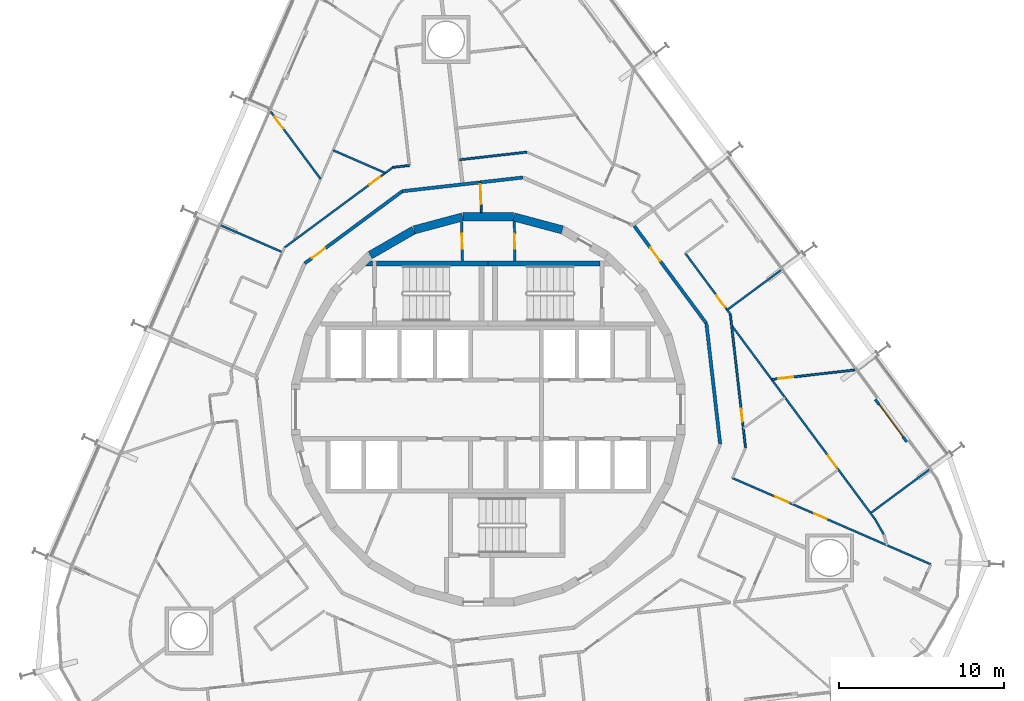
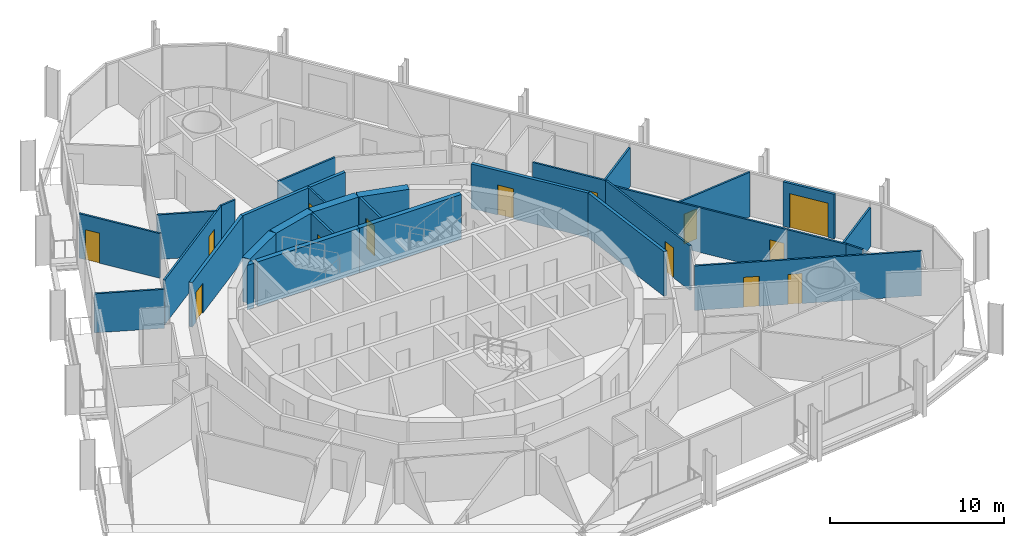
# One storey, part 18 of 22: 30 walls, 14 doors, 14 openings.
"""IFC4 building model written with IfcOpenShell, lengths in metres."""

from ifc_helpers import new_model, si_unit, direction, frame, frame_2d, origin, place, context, subcontext, project, spatial, polyline, rectangle, outline, extrude, material, layer, layer_set, type_object, element, fill, save


model = new_model("IFC4")

# Units and contexts
model_context = context("Model", 3, precision=1e-05, world=origin(), true_north=direction((0.0, 1.0)))
body_context = subcontext(model_context, "Body", "Model", "MODEL_VIEW")
ifc_project = project(units=[si_unit("LENGTHUNIT", "METRE"), si_unit("AREAUNIT", "SQUARE_METRE"), si_unit("VOLUMEUNIT", "CUBIC_METRE"), si_unit("PLANEANGLEUNIT", "RADIAN"), si_unit("MASSUNIT", "GRAM", prefix="KILO")], contexts=[model_context])

# Site, building, storey
site_placement = place(None, origin())
site = spatial("IfcSite", under=ifc_project, at=site_placement, CompositionType="ELEMENT")
building_placement = place(site_placement, origin())
building = spatial("IfcBuilding", under=site, at=building_placement, Name="Spindle Arch Residences", CompositionType="ELEMENT")
storey_placement = place(building_placement, frame((0.0, 0.0, 80.199951171875)))
storey = spatial("IfcBuildingStorey", under=building, at=storey_placement, Name="L18", CompositionType="ELEMENT", Elevation=80.199951171875)

# Walls
ifc_material_1 = material(Name="Concrete C50/60", Category="concrete")
ifc_layer_1 = layer(ifc_material_1, 0.5)
ifc_layer_set_1 = layer_set([ifc_layer_1], Name="Core outline wall 500")
wall_type_1 = type_object("IfcWallType", Name="Core outline wall 500", PredefinedType="SHEAR", material=ifc_layer_set_1)
for number, where, z_axis, x_axis, name in (
    (1, (4.479248046875, 10.858154296875, 0.0), (0.0, 0.0, 1.0), (-0.965948410781, 0.258734743916, 0.0), "Core outline wall 11"),
    (2, (1.516357421875, 11.647216796875, 0.0), (0.0, 0.0, 1.0), (-1.0, 0.0, 0.0), "Core outline wall 12"),
    (3, (-1.5498046875, 11.642822265625, 0.0), (0.0, 0.0, 1.0), (-0.965948410781, -0.258734743916, 0.0), "Core outline wall 13"),
    (4, (-4.510498046875, 10.84521484375, 0.0), (0.0, 0.0, 1.0), (-0.865975092491, -0.500087131594, 0.0), "Core outline wall 14"),
):
    element("IfcWall", number, at=place(storey_placement, frame(where, z_axis=z_axis, x_axis=x_axis)), inside=storey, type_object=wall_type_1, Name=name, PredefinedType="SHEAR", context=body_context, shape_type="SweptSolid", body=[
        extrude(rectangle(XDim=3.03271484375, YDim=0.5, at=frame_2d((1.516357421875, 0.0))), origin(), (0.0, 0.0, 1.0), 3.1201171875),
    ])

# Wall, opening, door
ifc_material_2 = material(Name="Plasterboard on steel studs", Category="steel")
ifc_layer_2 = layer(ifc_material_2, 0.1201171875)
ifc_layer_set_2 = layer_set([ifc_layer_2], Name="Corridor division wall 120")
wall_type_2 = type_object("IfcWallType", Name="Corridor division wall 120", PredefinedType="PARTITIONING", material=ifc_layer_set_2)
wall_1_placement = place(storey_placement, frame((-0.4794921875, 13.73388671875, 0.0), z_axis=(0.0, 0.0, 1.0), x_axis=(0.034805430832, -0.999394107439, 0.0)))
wall_1 = element("IfcWall", 5, at=wall_1_placement, inside=storey, type_object=wall_type_2, Name="Corridor division wall R2A1-W001", PredefinedType="PARTITIONING", context=body_context, shape_type="SweptSolid", body=[
    extrude(rectangle(XDim=1.837890625, YDim=0.1201171875, at=frame_2d((0.9189453125, 0.0))), origin(), (0.0, 0.0, 1.0), 3.1201171875),
])
opening_1_placement = place(wall_1_placement, frame((0.114990234375, 0.0, 0.0)))
opening_1 = element("IfcOpeningElement", 6, at=opening_1_placement, cuts=wall_1, Name="Opening R2A1-CD01", PredefinedType="OPENING", context=body_context, shape_type="SweptSolid", body=[
    extrude(rectangle(XDim=1.199951171875, YDim=2.10009765625, at=frame_2d((0.60009765625, 1.050048828125))), frame((0.0, 0.070068359375, 0.0), z_axis=(0.0, -1.0, 0.0), x_axis=(1.0, 0.0, 0.0)), (0.0, 0.0, 1.0), 0.14013671875),
])
ifc_material_3 = material(Name="Steel, fire-resisting door", Category="steel")
door_type_1 = type_object("IfcDoorType", Name="Corridor division door 1200x2100", OperationType="NOTDEFINED", PredefinedType="DOOR", material=ifc_material_3)
door_1_placement = place(opening_1_placement, origin())
door_1 = element("IfcDoor", 7, at=door_1_placement, inside=storey, type_object=door_type_1, Name="Corridor division door R2A1-CD01", OperationType="DOUBLE_DOOR_SINGLE_SWING", OverallHeight=2.10009765625, OverallWidth=1.199951171875, PredefinedType="DOOR", context=body_context, shape_type="SweptSolid", body=[
    extrude(rectangle(XDim=1.199951171875, YDim=2.10009765625, at=frame_2d((0.60009765625, 1.050048828125))), frame((0.0, 0.02490234375, 0.0), z_axis=(0.0, -1.0, 0.0), x_axis=(1.0, 0.0, 0.0)), (0.0, 0.0, 1.0), 0.050048828125),
])
fill(opening_1, door_1)

# Wall
ifc_material_4 = material(Name="Calcium silicate block, plastered")
ifc_layer_3 = layer(ifc_material_4, 0.199951171875)
ifc_layer_set_3 = layer_set([ifc_layer_3], Name="Corridor wall 200")
wall_type_3 = type_object("IfcWallType", Name="Corridor wall 200", PredefinedType="STANDARD", material=ifc_layer_set_3)
wall_2_placement = place(storey_placement, frame((14.027587890625, -2.096435546875, 0.0), z_axis=(0.0, 0.0, 1.0), x_axis=(-0.113226782163, 0.993569170114, 0.0)))
element("IfcWall", 8, at=wall_2_placement, inside=storey, type_object=wall_type_3, Name="Corridor wall R2A1-W005", PredefinedType="STANDARD", context=body_context, shape_type="SweptSolid", body=[
    extrude(rectangle(XDim=7.341796875, YDim=0.199951171875, at=frame_2d((3.6708984375, 0.0))), origin(), (0.0, 0.0, 1.0), 3.1201171875),
])

# Wall, opening, door
wall_3_placement = place(storey_placement, frame((13.1962890625, 5.1982421875, 0.0), z_axis=(0.0, 0.0, 1.0), x_axis=(-0.594805187394, 0.803869883159, 0.0)))
wall_3 = element("IfcWall", 9, at=wall_3_placement, inside=storey, type_object=wall_type_3, Name="Corridor wall R2A1-W006", PredefinedType="STANDARD", context=body_context, shape_type="SweptSolid", body=[
    extrude(rectangle(XDim=7.341796875, YDim=0.199951171875, at=frame_2d((3.6708984375, 0.0))), origin(), (0.0, 0.0, 1.0), 3.1201171875),
])
opening_2_placement = place(wall_3_placement, frame((4.699951171875, 0.0, 0.0)))
opening_2 = element("IfcOpeningElement", 10, at=opening_2_placement, cuts=wall_3, Name="Opening R2A1-FD01", PredefinedType="OPENING", context=body_context, shape_type="SweptSolid", body=[
    extrude(rectangle(XDim=1.0, YDim=2.10009765625, at=frame_2d((0.5, 1.050048828125))), frame((0.0, 0.10986328125, 0.0), z_axis=(0.0, -1.0, 0.0), x_axis=(1.0, 0.0, 0.0)), (0.0, 0.0, 1.0), 0.219970703125),
])
ifc_material_5 = material(Name="Timber, fire-resisting door set", Category="wood")
door_type_2 = type_object("IfcDoorType", Name="Flat entrance door 1000x2100", OperationType="NOTDEFINED", PredefinedType="DOOR", material=ifc_material_5)
door_2_placement = place(opening_2_placement, origin())
door_2 = element("IfcDoor", 11, at=door_2_placement, inside=storey, type_object=door_type_2, Name="Flat entrance door R2A1-FD01", OperationType="SINGLE_SWING_RIGHT", OverallHeight=2.10009765625, OverallWidth=1.0, PredefinedType="DOOR", context=body_context, shape_type="SweptSolid", body=[
    extrude(rectangle(XDim=1.0, YDim=2.10009765625, at=frame_2d((0.5, 1.050048828125))), frame((0.0, 0.02490234375, 0.0), z_axis=(0.0, -1.0, 0.0), x_axis=(1.0, 0.0, 0.0)), (0.0, 0.0, 1.0), 0.050048828125),
])
fill(opening_2, door_2)

# Wall
wall_4_placement = place(storey_placement, frame((2.096435546875, 14.027587890625, 0.0), z_axis=(0.0, 0.0, 1.0), x_axis=(-0.993569170114, -0.113226782163, 0.0)))
element("IfcWall", 12, at=wall_4_placement, inside=storey, type_object=wall_type_3, Name="Corridor wall R2A1-W008", PredefinedType="STANDARD", context=body_context, shape_type="SweptSolid", body=[
    extrude(rectangle(XDim=7.341796875, YDim=0.199951171875, at=frame_2d((3.6708984375, 0.0))), origin(), (0.0, 0.0, 1.0), 3.1201171875),
])

# Wall, opening, door
wall_5_placement = place(storey_placement, frame((-5.1982421875, 13.1962890625, 0.0), z_axis=(0.0, 0.0, 1.0), x_axis=(-0.803869883159, -0.594805187394, 0.0)))
wall_5 = element("IfcWall", 13, at=wall_5_placement, inside=storey, type_object=wall_type_3, Name="Corridor wall R2A1-W009", PredefinedType="STANDARD", context=body_context, shape_type="SweptSolid", body=[
    extrude(rectangle(XDim=7.341796875, YDim=0.199951171875, at=frame_2d((3.6708984375, 0.0))), origin(), (0.0, 0.0, 1.0), 3.1201171875),
])
opening_3_placement = place(wall_5_placement, frame((5.800048828125, 0.0, 0.0)))
opening_3 = element("IfcOpeningElement", 14, at=opening_3_placement, cuts=wall_5, Name="Opening R2A1-FD03", PredefinedType="OPENING", context=body_context, shape_type="SweptSolid", body=[
    extrude(rectangle(XDim=1.0, YDim=2.10009765625, at=frame_2d((0.5, 1.050048828125))), frame((0.0, 0.10986328125, 0.0), z_axis=(0.0, -1.0, 0.0), x_axis=(1.0, 0.0, 0.0)), (0.0, 0.0, 1.0), 0.219970703125),
])
door_3_placement = place(opening_3_placement, origin())
door_3 = element("IfcDoor", 15, at=door_3_placement, inside=storey, type_object=door_type_2, Name="Flat entrance door R2A1-FD03", OperationType="SINGLE_SWING_LEFT", OverallHeight=2.10009765625, OverallWidth=1.0, PredefinedType="DOOR", context=body_context, shape_type="SweptSolid", body=[
    extrude(rectangle(XDim=1.0, YDim=2.10009765625, at=frame_2d((0.5, 1.050048828125))), frame((0.0, 0.02490234375, 0.0), z_axis=(0.0, -1.0, 0.0), x_axis=(1.0, 0.0, 0.0)), (0.0, 0.0, 1.0), 0.050048828125),
])
fill(opening_3, door_3)

ifc_material_6 = material(Name="Plasterboard on steel studs", Category="steel")
ifc_layer_4 = layer(ifc_material_6, 0.1201171875)
ifc_layer_set_4 = layer_set([ifc_layer_4], Name="Flat partition 120")
wall_type_4 = type_object("IfcWallType", Name="Flat partition 120", PredefinedType="PARTITIONING", material=ifc_layer_set_4)
wall_6_placement = place(storey_placement, frame((15.563232421875, -2.325927734375, 0.0), z_axis=(0.0, 0.0, 1.0), x_axis=(-0.11320423706, 0.993571739087, 0.0)))
wall_6 = element("IfcWall", 16, at=wall_6_placement, inside=storey, type_object=wall_type_4, Name="Flat partition R2A1-W028", PredefinedType="PARTITIONING", context=body_context, shape_type="SweptSolid", body=[
    extrude(rectangle(XDim=8.1455078125, YDim=0.1201171875, at=frame_2d((4.07275390625, 0.0))), origin(), (0.0, 0.0, 1.0), 3.1201171875),
])
opening_4_placement = place(wall_6_placement, frame((1.592041015625, 0.0, 0.0)))
opening_4 = element("IfcOpeningElement", 17, at=opening_4_placement, cuts=wall_6, Name="Opening R2A1-BD01", PredefinedType="OPENING", context=body_context, shape_type="SweptSolid", body=[
    extrude(rectangle(XDim=0.800048828125, YDim=2.10009765625, at=frame_2d((0.39990234375, 1.050048828125))), frame((0.0, 0.070068359375, 0.0), z_axis=(0.0, -1.0, 0.0), x_axis=(1.0, 0.0, 0.0)), (0.0, 0.0, 1.0), 0.14013671875),
])
ifc_material_7 = material(Name="Timber door set", Category="wood")
door_type_3 = type_object("IfcDoorType", Name="Bathroom door 800x2100", OperationType="NOTDEFINED", PredefinedType="DOOR", material=ifc_material_7)
door_4_placement = place(opening_4_placement, origin())
door_4 = element("IfcDoor", 18, at=door_4_placement, inside=storey, type_object=door_type_3, Name="Bathroom door R2A1-BD01", OperationType="SINGLE_SWING_LEFT", OverallHeight=2.10009765625, OverallWidth=0.800048828125, PredefinedType="DOOR", context=body_context, shape_type="SweptSolid", body=[
    extrude(rectangle(XDim=0.800048828125, YDim=2.10009765625, at=frame_2d((0.39990234375, 1.050048828125))), frame((0.0, 0.02490234375, 0.0), z_axis=(0.0, -1.0, 0.0), x_axis=(1.0, 0.0, 0.0)), (0.0, 0.0, 1.0), 0.050048828125),
])
fill(opening_4, door_4)

wall_7_placement = place(storey_placement, frame((14.64111328125, 5.767333984375, 0.0), z_axis=(0.0, 0.0, 1.0), x_axis=(-0.594785744505, 0.803884269117, 0.0)))
wall_7 = element("IfcWall", 19, at=wall_7_placement, inside=storey, type_object=wall_type_4, Name="Flat partition R2A1-W029", PredefinedType="PARTITIONING", context=body_context, shape_type="SweptSolid", body=[
    extrude(rectangle(XDim=4.573486328125, YDim=0.1201171875, at=frame_2d((2.28662109375, 0.0))), origin(), (0.0, 0.0, 1.0), 3.1201171875),
])
opening_5_placement = place(wall_7_placement, frame((0.513427734375, 0.0, 0.0)))
opening_5 = element("IfcOpeningElement", 20, at=opening_5_placement, cuts=wall_7, Name="Opening R2A1-ID01", PredefinedType="OPENING", context=body_context, shape_type="SweptSolid", body=[
    extrude(rectangle(XDim=0.89990234375, YDim=2.10009765625, at=frame_2d((0.449951171875, 1.050048828125))), frame((0.0, 0.070068359375, 0.0), z_axis=(0.0, -1.0, 0.0), x_axis=(1.0, 0.0, 0.0)), (0.0, 0.0, 1.0), 0.14013671875),
])
ifc_material_8 = material(Name="Timber door set", Category="wood")
door_type_4 = type_object("IfcDoorType", Name="Room door 900x2100", OperationType="NOTDEFINED", PredefinedType="DOOR", material=ifc_material_8)
door_5_placement = place(opening_5_placement, origin())
door_5 = element("IfcDoor", 21, at=door_5_placement, inside=storey, type_object=door_type_4, Name="Room door R2A1-ID01", OperationType="SINGLE_SWING_LEFT", OverallHeight=2.10009765625, OverallWidth=0.89990234375, PredefinedType="DOOR", context=body_context, shape_type="SweptSolid", body=[
    extrude(rectangle(XDim=0.89990234375, YDim=2.10009765625, at=frame_2d((0.449951171875, 1.050048828125))), frame((0.0, 0.02490234375, 0.0), z_axis=(0.0, -1.0, 0.0), x_axis=(1.0, 0.0, 0.0)), (0.0, 0.0, 1.0), 0.050048828125),
])
fill(opening_5, door_5)

# Wall, openings, doors
wall_8_placement = place(storey_placement, frame((26.770263671875, -9.369140625, 0.0), z_axis=(0.0, 0.0, 1.0), x_axis=(-0.917058488031, 0.39875271727, 0.0)))
wall_8 = element("IfcWall", 22, at=wall_8_placement, inside=storey, type_object=wall_type_4, Name="Flat partition R2A1-W036", PredefinedType="PARTITIONING", context=body_context, shape_type="SweptSolid", body=[
    extrude(rectangle(XDim=13.0859375, YDim=0.1201171875, at=frame_2d((6.54296875, 0.0))), origin(), (0.0, 0.0, 1.0), 3.1201171875),
])
opening_6_placement = place(wall_8_placement, frame((6.889404296875, 0.0, 0.0)))
opening_6 = element("IfcOpeningElement", 23, at=opening_6_placement, cuts=wall_8, Name="Opening R2A1-BD02", PredefinedType="OPENING", context=body_context, shape_type="SweptSolid", body=[
    extrude(rectangle(XDim=0.800048828125, YDim=2.10009765625, at=frame_2d((0.39990234375, 1.050048828125))), frame((0.0, 0.070068359375, 0.0), z_axis=(0.0, -1.0, 0.0), x_axis=(1.0, 0.0, 0.0)), (0.0, 0.0, 1.0), 0.14013671875),
])
opening_7_placement = place(wall_8_placement, frame((9.358154296875, 0.0, 0.0)))
opening_7 = element("IfcOpeningElement", 24, at=opening_7_placement, cuts=wall_8, Name="Opening R2A1-ID03", PredefinedType="OPENING", context=body_context, shape_type="SweptSolid", body=[
    extrude(rectangle(XDim=0.89990234375, YDim=2.10009765625, at=frame_2d((0.449951171875, 1.050048828125))), frame((0.0, 0.070068359375, 0.0), z_axis=(0.0, -1.0, 0.0), x_axis=(1.0, 0.0, 0.0)), (0.0, 0.0, 1.0), 0.14013671875),
])
door_6_placement = place(opening_6_placement, origin())
door_6 = element("IfcDoor", 25, at=door_6_placement, inside=storey, type_object=door_type_3, Name="Bathroom door R2A1-BD02", OperationType="SINGLE_SWING_LEFT", OverallHeight=2.10009765625, OverallWidth=0.800048828125, PredefinedType="DOOR", context=body_context, shape_type="SweptSolid", body=[
    extrude(rectangle(XDim=0.800048828125, YDim=2.10009765625, at=frame_2d((0.39990234375, 1.050048828125))), frame((0.0, 0.02490234375, 0.0), z_axis=(0.0, -1.0, 0.0), x_axis=(1.0, 0.0, 0.0)), (0.0, 0.0, 1.0), 0.050048828125),
])
fill(opening_6, door_6)
door_7_placement = place(opening_7_placement, origin())
door_7 = element("IfcDoor", 26, at=door_7_placement, inside=storey, type_object=door_type_4, Name="Room door R2A1-ID03", OperationType="SINGLE_SWING_LEFT", OverallHeight=2.10009765625, OverallWidth=0.89990234375, PredefinedType="DOOR", context=body_context, shape_type="SweptSolid", body=[
    extrude(rectangle(XDim=0.89990234375, YDim=2.10009765625, at=frame_2d((0.449951171875, 1.050048828125))), frame((0.0, 0.02490234375, 0.0), z_axis=(0.0, -1.0, 0.0), x_axis=(1.0, 0.0, 0.0)), (0.0, 0.0, 1.0), 0.050048828125),
])
fill(opening_7, door_7)

# Wall, opening, door
wall_9_placement = place(storey_placement, frame((21.201171875, -3.673583984375, 0.0), z_axis=(0.0, 0.0, 1.0), x_axis=(-0.594822450109, 0.803857109719, 0.0)))
wall_9 = element("IfcWall", 27, at=wall_9_placement, inside=storey, type_object=wall_type_4, Name="Flat partition R2A1-W038", PredefinedType="PARTITIONING", context=body_context, shape_type="SweptSolid", body=[
    extrude(rectangle(XDim=10.898193359375, YDim=0.1201171875, at=frame_2d((5.44921875, 0.0))), origin(), (0.0, 0.0, 1.0), 3.1201171875),
])
opening_8_placement = place(wall_9_placement, frame((0.199951171875, 0.0, 0.0)))
opening_8 = element("IfcOpeningElement", 28, at=opening_8_placement, cuts=wall_9, Name="Opening R2A1-ID04", PredefinedType="OPENING", context=body_context, shape_type="SweptSolid", body=[
    extrude(rectangle(XDim=0.89990234375, YDim=2.10009765625, at=frame_2d((0.449951171875, 1.050048828125))), frame((0.0, 0.070068359375, 0.0), z_axis=(0.0, -1.0, 0.0), x_axis=(1.0, 0.0, 0.0)), (0.0, 0.0, 1.0), 0.14013671875),
])
door_8_placement = place(opening_8_placement, origin())
door_8 = element("IfcDoor", 29, at=door_8_placement, inside=storey, type_object=door_type_4, Name="Room door R2A1-ID04", OperationType="SINGLE_SWING_LEFT", OverallHeight=2.10009765625, OverallWidth=0.89990234375, PredefinedType="DOOR", context=body_context, shape_type="SweptSolid", body=[
    extrude(rectangle(XDim=0.89990234375, YDim=2.10009765625, at=frame_2d((0.449951171875, 1.050048828125))), frame((0.0, 0.02490234375, 0.0), z_axis=(0.0, -1.0, 0.0), x_axis=(1.0, 0.0, 0.0)), (0.0, 0.0, 1.0), 0.050048828125),
])
fill(opening_8, door_8)

wall_10_placement = place(storey_placement, frame((17.140869140625, 1.813720703125, 0.0), z_axis=(0.0, 0.0, 1.0), x_axis=(0.993575814944, 0.113168458319, 0.0)))
wall_10 = element("IfcWall", 30, at=wall_10_placement, inside=storey, type_object=wall_type_4, Name="Flat partition R2A1-W041", PredefinedType="PARTITIONING", context=body_context, shape_type="SweptSolid", body=[
    extrude(rectangle(XDim=5.08056640625, YDim=0.1201171875, at=frame_2d((2.540283203125, 0.0))), origin(), (0.0, 0.0, 1.0), 3.1201171875),
])
opening_9_placement = place(wall_10_placement, frame((0.39990234375, 0.0, 0.0)))
opening_9 = element("IfcOpeningElement", 31, at=opening_9_placement, cuts=wall_10, Name="Opening R2A1-ID05", PredefinedType="OPENING", context=body_context, shape_type="SweptSolid", body=[
    extrude(rectangle(XDim=0.89990234375, YDim=2.10009765625, at=frame_2d((0.449951171875, 1.050048828125))), frame((0.0, 0.070068359375, 0.0), z_axis=(0.0, -1.0, 0.0), x_axis=(1.0, 0.0, 0.0)), (0.0, 0.0, 1.0), 0.14013671875),
])
door_9_placement = place(opening_9_placement, origin())
door_9 = element("IfcDoor", 32, at=door_9_placement, inside=storey, type_object=door_type_4, Name="Room door R2A1-ID05", OperationType="SINGLE_SWING_LEFT", OverallHeight=2.10009765625, OverallWidth=0.89990234375, PredefinedType="DOOR", context=body_context, shape_type="SweptSolid", body=[
    extrude(rectangle(XDim=0.89990234375, YDim=2.10009765625, at=frame_2d((0.449951171875, 1.050048828125))), frame((0.0, 0.02490234375, 0.0), z_axis=(0.0, -1.0, 0.0), x_axis=(1.0, 0.0, 0.0)), (0.0, 0.0, 1.0), 0.050048828125),
])
fill(opening_9, door_9)

# Walls
wall_11_placement = place(storey_placement, frame((21.201171875, -3.673583984375, 0.0), z_axis=(0.0, 0.0, 1.0), x_axis=(0.594805265457, -0.803869825398, 0.0)))
element("IfcWall", 33, at=wall_11_placement, inside=storey, type_object=wall_type_4, Name="Flat partition R2A1-W042", PredefinedType="PARTITIONING", context=body_context, shape_type="SweptSolid", body=[
    extrude(rectangle(XDim=3.678466796875, YDim=0.1201171875, at=frame_2d((1.83935546875, 0.0))), origin(), (0.0, 0.0, 1.0), 3.1201171875),
])
wall_12_placement = place(storey_placement, frame((23.38916015625, -6.630615234375, 0.0), z_axis=(0.0, 0.0, 1.0), x_axis=(0.497348044937, -0.867551106389, 0.0)))
element("IfcWall", 34, at=wall_12_placement, inside=storey, type_object=wall_type_4, Name="Flat partition R2A1-W043", PredefinedType="PARTITIONING", context=body_context, shape_type="SweptSolid", body=[
    extrude(rectangle(XDim=1.0869140625, YDim=0.1201171875, at=frame_2d((0.54345703125, 0.0))), origin(), (0.0, 0.0, 1.0), 3.1201171875),
])
wall_13_placement = place(storey_placement, frame((2.325927734375, 15.563232421875, 0.0), z_axis=(0.0, 0.0, 1.0), x_axis=(-0.993575109804, -0.113174649008, 0.0)))
element("IfcWall", 35, at=wall_13_placement, inside=storey, type_object=wall_type_4, Name="Flat partition R2A1-W053", PredefinedType="PARTITIONING", context=body_context, shape_type="SweptSolid", body=[
    extrude(rectangle(XDim=4.07275390625, YDim=0.1201171875, at=frame_2d((2.036376953125, 0.0))), origin(), (0.0, 0.0, 1.0), 3.1201171875),
])
wall_14_placement = place(storey_placement, frame((-4.76904296875, 14.7548828125, 0.0), z_axis=(0.0, 0.0, 1.0), x_axis=(-0.993568649539, -0.113231350131, 0.0)))
element("IfcWall", 36, at=wall_14_placement, inside=storey, type_object=wall_type_4, Name="Flat partition R2A1-W066", PredefinedType="PARTITIONING", context=body_context, shape_type="SweptSolid", body=[
    extrude(rectangle(XDim=1.004638671875, YDim=0.1201171875, at=frame_2d((0.50244140625, 0.0))), origin(), (0.0, 0.0, 1.0), 3.1201171875),
])

# Wall, opening, door
wall_15_placement = place(storey_placement, frame((-5.767333984375, 14.64111328125, 0.0), z_axis=(0.0, 0.0, 1.0), x_axis=(-0.803853364238, -0.594827511807, 0.0)))
wall_15 = element("IfcWall", 37, at=wall_15_placement, inside=storey, type_object=wall_type_4, Name="Flat partition R2A1-W067", PredefinedType="PARTITIONING", context=body_context, shape_type="SweptSolid", body=[
    extrude(rectangle(XDim=8.1455078125, YDim=0.1201171875, at=frame_2d((4.07275390625, 0.0))), origin(), (0.0, 0.0, 1.0), 3.1201171875),
])
opening_10_placement = place(wall_15_placement, frame((0.9697265625, 0.0, 0.0)))
opening_10 = element("IfcOpeningElement", 38, at=opening_10_placement, cuts=wall_15, Name="Opening R2A1-BD04", PredefinedType="OPENING", context=body_context, shape_type="SweptSolid", body=[
    extrude(rectangle(XDim=0.800048828125, YDim=2.10009765625, at=frame_2d((0.39990234375, 1.050048828125))), frame((0.0, 0.070068359375, 0.0), z_axis=(0.0, -1.0, 0.0), x_axis=(1.0, 0.0, 0.0)), (0.0, 0.0, 1.0), 0.14013671875),
])
door_10_placement = place(opening_10_placement, origin())
door_10 = element("IfcDoor", 39, at=door_10_placement, inside=storey, type_object=door_type_3, Name="Bathroom door R2A1-BD04", OperationType="SINGLE_SWING_LEFT", OverallHeight=2.10009765625, OverallWidth=0.800048828125, PredefinedType="DOOR", context=body_context, shape_type="SweptSolid", body=[
    extrude(rectangle(XDim=0.800048828125, YDim=2.10009765625, at=frame_2d((0.39990234375, 1.050048828125))), frame((0.0, 0.02490234375, 0.0), z_axis=(0.0, -1.0, 0.0), x_axis=(1.0, 0.0, 0.0)), (0.0, 0.0, 1.0), 0.050048828125),
])
fill(opening_10, door_10)

# Wall
wall_16_placement = place(storey_placement, frame((-9.385009765625, 15.67626953125, 0.0), z_axis=(0.0, 0.0, 1.0), x_axis=(0.917068929701, -0.398728702475, 0.0)))
element("IfcWall", 40, at=wall_16_placement, inside=storey, type_object=wall_type_4, Name="Flat partition R2A1-W080", PredefinedType="PARTITIONING", context=body_context, shape_type="SweptSolid", body=[
    extrude(rectangle(XDim=3.4453125, YDim=0.1201171875, at=frame_2d((1.72265625, 0.0))), origin(), (0.0, 0.0, 1.0), 3.1201171875),
])

# Wall, opening, door
wall_17_placement = place(storey_placement, frame((-13.1630859375, 18.021728515625, 0.0), z_axis=(0.0, 0.0, 1.0), x_axis=(0.594797671626, -0.803875444226, 0.0)))
wall_17 = element("IfcWall", 41, at=wall_17_placement, inside=storey, type_object=wall_type_4, Name="Flat partition R2A1-W081", PredefinedType="PARTITIONING", context=body_context, shape_type="SweptSolid", body=[
    extrude(rectangle(XDim=5.08056640625, YDim=0.1201171875, at=frame_2d((2.540283203125, 0.0))), origin(), (0.0, 0.0, 1.0), 3.1201171875),
])
opening_11_placement = place(wall_17_placement, frame((0.39990234375, 0.0, 0.0)))
opening_11 = element("IfcOpeningElement", 42, at=opening_11_placement, cuts=wall_17, Name="Opening R2A1-ID16", PredefinedType="OPENING", context=body_context, shape_type="SweptSolid", body=[
    extrude(rectangle(XDim=0.89990234375, YDim=2.10009765625, at=frame_2d((0.449951171875, 1.050048828125))), frame((0.0, 0.070068359375, 0.0), z_axis=(0.0, -1.0, 0.0), x_axis=(1.0, 0.0, 0.0)), (0.0, 0.0, 1.0), 0.14013671875),
])
door_11_placement = place(opening_11_placement, origin())
door_11 = element("IfcDoor", 43, at=door_11_placement, inside=storey, type_object=door_type_4, Name="Room door R2A1-ID16", OperationType="SINGLE_SWING_RIGHT", OverallHeight=2.10009765625, OverallWidth=0.89990234375, PredefinedType="DOOR", context=body_context, shape_type="SweptSolid", body=[
    extrude(rectangle(XDim=0.89990234375, YDim=2.10009765625, at=frame_2d((0.449951171875, 1.050048828125))), frame((0.0, 0.02490234375, 0.0), z_axis=(0.0, -1.0, 0.0), x_axis=(1.0, 0.0, 0.0)), (0.0, 0.0, 1.0), 0.050048828125),
])
fill(opening_11, door_11)

# Walls
ifc_material_9 = material(Name="Plasterboard on steel studs", Category="steel")
ifc_layer_5 = layer(ifc_material_9, 0.1201171875)
ifc_layer_set_5 = layer_set([ifc_layer_5], Name="Flat partition 120 under beam 2730")
wall_type_5 = type_object("IfcWallType", Name="Flat partition 120 under beam 2730", PredefinedType="PARTITIONING", material=ifc_layer_set_5)
wall_18_placement = place(storey_placement, frame((17.716552734375, 8.432861328125, 0.0), z_axis=(0.0, 0.0, 1.0), x_axis=(-0.803853407146, -0.594827453821, 0.0)))
element("IfcWall", 44, at=wall_18_placement, inside=storey, type_object=wall_type_5, Name="Flat partition R2A1-W040", PredefinedType="PARTITIONING", context=body_context, shape_type="SweptSolid", body=[
    extrude(rectangle(XDim=4.0576171875, YDim=0.1201171875, at=frame_2d((2.02880859375, 0.0))), origin(), (0.0, 0.0, 1.0), 2.72998046875),
])
wall_19_placement = place(storey_placement, frame((26.6611328125, -3.6552734375, 0.0), z_axis=(0.0, 0.0, 1.0), x_axis=(-0.803825449575, -0.594865233995, 0.0)))
element("IfcWall", 45, at=wall_19_placement, inside=storey, type_object=wall_type_5, Name="Flat partition R2A1-W045", PredefinedType="PARTITIONING", context=body_context, shape_type="SweptSolid", body=[
    extrude(rectangle(XDim=4.400146484375, YDim=0.1201171875, at=frame_2d((2.2001953125, 0.0))), origin(), (0.0, 0.0, 1.0), 2.72998046875),
])
wall_20_placement = place(storey_placement, frame((-16.1611328125, 11.12646484375, 0.0), z_axis=(0.0, 0.0, 1.0), x_axis=(0.91705953326, -0.398750313425, 0.0)))
element("IfcWall", 46, at=wall_20_placement, inside=storey, type_object=wall_type_5, Name="Flat partition R2A1-W082", PredefinedType="PARTITIONING", context=body_context, shape_type="SweptSolid", body=[
    extrude(rectangle(XDim=4.057373046875, YDim=0.1201171875, at=frame_2d((2.02880859375, 0.0))), origin(), (0.0, 0.0, 1.0), 2.72998046875),
])

# Wall, opening, door
ifc_material_10 = material(Name="Non-combustible mineral wool insulated aluminium faced external wall (K0)", Category="aluminium")
ifc_layer_6 = layer(ifc_material_10, 0.159912109375)
ifc_layer_set_6 = layer_set([ifc_layer_6], Name="Insulated external wall panel 160")
wall_type_6 = type_object("IfcWallType", Name="Insulated external wall panel 160", PredefinedType="STANDARD", material=ifc_layer_set_6)
wall_21_placement = place(storey_placement, frame((25.3125, -1.967041015625, 0.0), z_axis=(0.0, 0.0, 1.0), x_axis=(-0.594860752536, 0.803828766027, 0.0)))
wall_21 = element("IfcWall", 47, at=wall_21_placement, inside=storey, type_object=wall_type_6, Name="External wall L18 bay 6", PredefinedType="STANDARD", context=body_context, shape_type="SweptSolid", body=[
    extrude(rectangle(XDim=3.199951171875, YDim=0.159912109375, at=frame_2d((1.60009765625, 0.0))), origin(), (0.0, 0.0, 1.0), 3.1201171875),
])
opening_12_placement = place(wall_21_placement, frame((0.39990234375, 0.0, 0.0)))
opening_12 = element("IfcOpeningElement", 48, at=opening_12_placement, cuts=wall_21, Name="Opening BD06", PredefinedType="OPENING", context=body_context, shape_type="SweptSolid", body=[
    extrude(rectangle(XDim=2.39990234375, YDim=2.39990234375, at=frame_2d((1.199951171875, 1.199951171875))), frame((0.0, 0.08984375, 0.0), z_axis=(0.0, -1.0, 0.0), x_axis=(1.0, 0.0, 0.0)), (0.0, 0.0, 1.0), 0.179931640625),
])
ifc_material_11 = material(Name="Bronze aluminium frame, tinted double glazing", Category="aluminium")
door_type_5 = type_object("IfcDoorType", Name="Sliding glazed balcony door 2400x2400", OperationType="DOUBLE_DOOR_SLIDING", PredefinedType="DOOR", material=ifc_material_11)
door_12_placement = place(opening_12_placement, origin())
door_12 = element("IfcDoor", 49, at=door_12_placement, inside=storey, type_object=door_type_5, Name="Balcony door BD06", OperationType="DOUBLE_DOOR_SLIDING", OverallHeight=2.39990234375, OverallWidth=2.39990234375, PredefinedType="DOOR", context=body_context, shape_type="SweptSolid", body=[
    extrude(rectangle(XDim=2.39990234375, YDim=2.39990234375, at=frame_2d((1.199951171875, 1.199951171875))), frame((0.0, 0.02490234375, 0.0), z_axis=(0.0, -1.0, 0.0), x_axis=(1.0, 0.0, 0.0)), (0.0, 0.0, 1.0), 0.050048828125),
])
fill(opening_12, door_12)

ifc_material_12 = material(Name="Concrete C25/30", Category="concrete")
ifc_layer_7 = layer(ifc_material_12, 0.14990234375)
ifc_layer_set_7 = layer_set([ifc_layer_7], Name="Service room partition 150")
wall_type_7 = type_object("IfcWallType", Name="Service room partition 150", PredefinedType="PARTITIONING", material=ifc_layer_set_7)
wall_22_placement = place(storey_placement, frame((1.585693359375, 11.3544921875, 0.0), z_axis=(0.0, 0.0, 1.0), x_axis=(0.007227482881, -0.999973881405, 0.0)))
wall_22 = element("IfcWall", 50, at=wall_22_placement, inside=storey, type_object=wall_type_7, Name="Core service room partition", PredefinedType="PARTITIONING", context=body_context, shape_type="SweptSolid", body=[
    extrude(rectangle(XDim=2.364501953125, YDim=0.14990234375, at=frame_2d((1.18212890625, 0.0))), origin(), (0.0, 0.0, 1.0), 3.1201171875),
])
opening_13_placement = place(wall_22_placement, frame((0.732177734375, 0.0, 0.0)))
opening_13 = element("IfcOpeningElement", 51, at=opening_13_placement, cuts=wall_22, Name="Opening R2A1-WD07", PredefinedType="OPENING", context=body_context, shape_type="SweptSolid", body=[
    extrude(rectangle(XDim=0.89990234375, YDim=2.10009765625, at=frame_2d((0.449951171875, 1.050048828125))), frame((0.0, 0.0849609375, 0.0), z_axis=(0.0, -1.0, 0.0), x_axis=(1.0, 0.0, 0.0)), (0.0, 0.0, 1.0), 0.169921875),
])
ifc_material_13 = material(Name="Steel, fire-resisting door", Category="steel")
door_type_6 = type_object("IfcDoorType", Name="Service room door 900x2100", OperationType="SINGLE_SWING_LEFT", PredefinedType="DOOR", material=ifc_material_13)
door_13_placement = place(opening_13_placement, origin())
door_13 = element("IfcDoor", 52, at=door_13_placement, inside=storey, type_object=door_type_6, Name="Service room door R2A1-WD07", OperationType="SINGLE_SWING_RIGHT", OverallHeight=2.10009765625, OverallWidth=0.89990234375, PredefinedType="DOOR", context=body_context, shape_type="SweptSolid", body=[
    extrude(rectangle(XDim=0.89990234375, YDim=2.10009765625, at=frame_2d((0.449951171875, 1.050048828125))), frame((0.0, 0.02490234375, 0.0), z_axis=(0.0, -1.0, 0.0), x_axis=(1.0, 0.0, 0.0)), (0.0, 0.0, 1.0), 0.050048828125),
])
fill(opening_13, door_13)

wall_23_placement = place(storey_placement, frame((-1.555419921875, 8.989990234375, 0.0), z_axis=(0.0, 0.0, 1.0), x_axis=(-0.024125549686, 0.999708936567, 0.0)))
wall_23 = element("IfcWall", 53, at=wall_23_placement, inside=storey, type_object=wall_type_7, Name="Core service room partition", PredefinedType="PARTITIONING", context=body_context, shape_type="SweptSolid", body=[
    extrude(rectangle(XDim=2.35791015625, YDim=0.14990234375, at=frame_2d((1.178955078125, 0.0))), origin(), (0.0, 0.0, 1.0), 3.1201171875),
])
opening_14_placement = place(wall_23_placement, frame((0.72900390625, 0.0, 0.0)))
opening_14 = element("IfcOpeningElement", 54, at=opening_14_placement, cuts=wall_23, Name="Opening R2A1-WD08", PredefinedType="OPENING", context=body_context, shape_type="SweptSolid", body=[
    extrude(rectangle(XDim=0.89990234375, YDim=2.10009765625, at=frame_2d((0.449951171875, 1.050048828125))), frame((0.0, 0.0849609375, 0.0), z_axis=(0.0, -1.0, 0.0), x_axis=(1.0, 0.0, 0.0)), (0.0, 0.0, 1.0), 0.169921875),
])
door_14_placement = place(opening_14_placement, origin())
door_14 = element("IfcDoor", 55, at=door_14_placement, inside=storey, type_object=door_type_6, Name="Service room door R2A1-WD08", OperationType="SINGLE_SWING_LEFT", OverallHeight=2.10009765625, OverallWidth=0.89990234375, PredefinedType="DOOR", context=body_context, shape_type="SweptSolid", body=[
    extrude(rectangle(XDim=0.89990234375, YDim=2.10009765625, at=frame_2d((0.449951171875, 1.050048828125))), frame((0.0, 0.02490234375, 0.0), z_axis=(0.0, -1.0, 0.0), x_axis=(1.0, 0.0, 0.0)), (0.0, 0.0, 1.0), 0.050048828125),
])
fill(opening_14, door_14)

# Walls
ifc_material_14 = material(Name="Concrete C40/50", Category="concrete")
wall_type_8 = type_object("IfcWallType", Name="Stair airlock wall profile", PredefinedType="SHEAR", material=ifc_material_14)
wall_24_placement = place(storey_placement, origin())
element("IfcWall", 56, at=wall_24_placement, inside=storey, type_object=wall_type_8, Name="Stair ST-2 airlock wall N", PredefinedType="SHEAR", context=body_context, shape_type="SweptSolid", body=[
    extrude(outline(polyline([(-7.148193359375, 8.969970703125), (-7.0, 8.969970703125), (-7.0, 8.669921875), (-7.4482421875, 8.669921875), (-7.148193359375, 8.969970703125)])), origin(), (0.0, 0.0, 1.0), 3.1201171875),
])
ifc_material_15 = material(Name="Concrete C50/60", Category="concrete")
ifc_layer_8 = layer(ifc_material_15, 0.300048828125)
ifc_layer_set_8 = layer_set([ifc_layer_8], Name="Stair enclosure wall 300")
wall_type_9 = type_object("IfcWallType", Name="Stair enclosure wall 300", PredefinedType="SHEAR", material=ifc_layer_set_8)
for number, where, z_axis, x_axis, name in (
    (57, (0.0, 8.820068359375, 0.0), (0.0, 0.0, 1.0), (1.0, 0.0, 0.0), "Stair ST-1 enclosure wall N"),
    (58, (-6.75, 8.820068359375, 0.0), (0.0, 0.0, 1.0), (1.0, 0.0, 0.0), "Stair ST-2 enclosure wall N"),
):
    element("IfcWall", number, at=place(storey_placement, frame(where, z_axis=z_axis, x_axis=x_axis)), inside=storey, type_object=wall_type_9, Name=name, PredefinedType="SHEAR", context=body_context, shape_type="SweptSolid", body=[
        extrude(rectangle(XDim=6.75, YDim=0.300048828125, at=frame_2d((3.375, 0.0))), origin(), (0.0, 0.0, 1.0), 3.1201171875),
    ])

save(model, "model.ifc")
